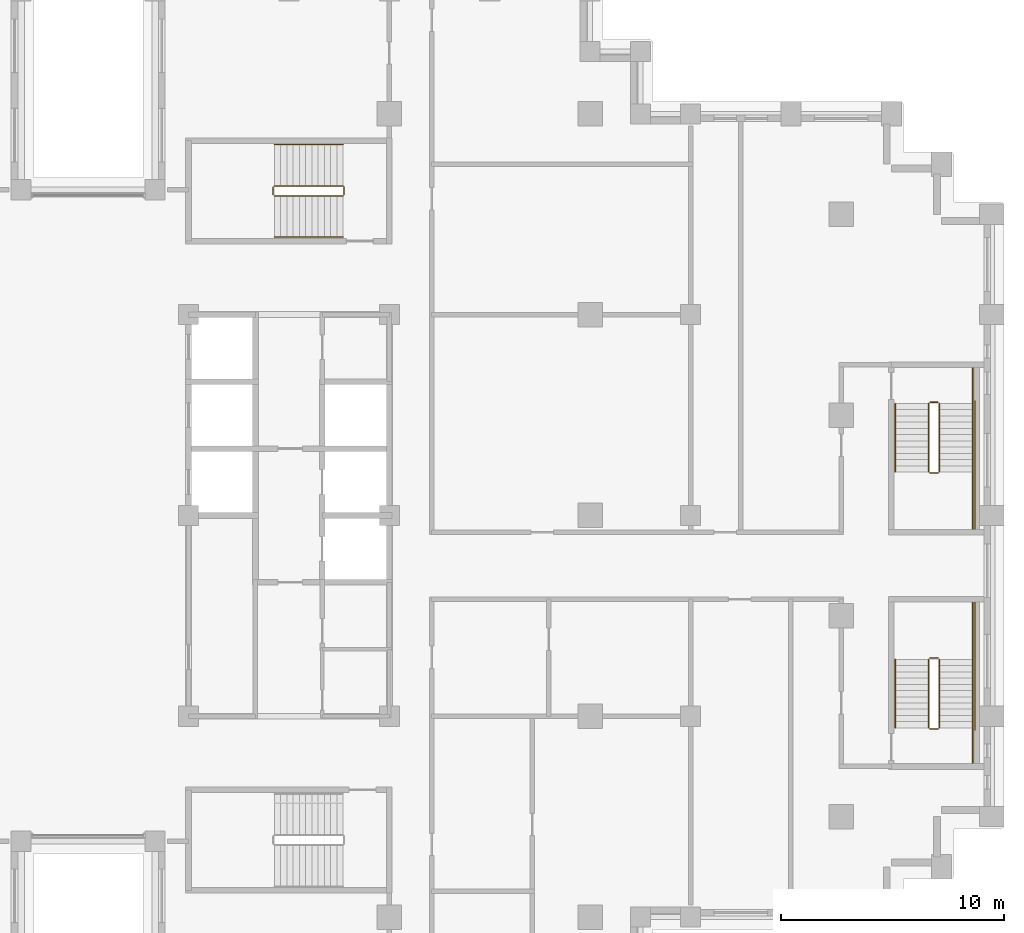
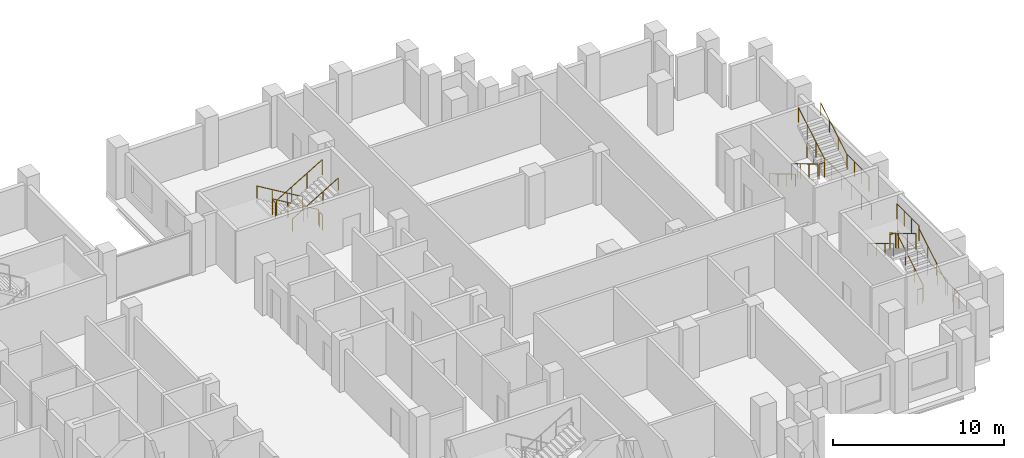
# One storey, part 15 of 15: 3 railings.
"""IFC4 building model written with IfcOpenShell, lengths in metres."""

from ifc_helpers import new_model, si_unit, direction, frame, origin, origin_2d, place, context, subcontext, project, spatial, circle, extrude, material, type_object, element, save


model = new_model("IFC4")

# Units and contexts
model_context = context("Model", 3, precision=1e-05, world=origin(), true_north=direction((0.0, 1.0)))
body_context = subcontext(model_context, "Body", "Model", "MODEL_VIEW")
ifc_project = project(units=[si_unit("LENGTHUNIT", "METRE"), si_unit("AREAUNIT", "SQUARE_METRE"), si_unit("VOLUMEUNIT", "CUBIC_METRE"), si_unit("PLANEANGLEUNIT", "RADIAN"), si_unit("MASSUNIT", "GRAM", prefix="KILO")], contexts=[model_context])

# Site, building, storey
site_placement = place(None, origin())
site = spatial("IfcSite", under=ifc_project, at=site_placement, CompositionType="ELEMENT")
building_placement = place(site_placement, origin())
building = spatial("IfcBuilding", under=site, at=building_placement, Name="Corbelhall Arena Tower", CompositionType="ELEMENT")
storey_placement = place(building_placement, frame((0.0, 0.0, 138.0)))
storey = spatial("IfcBuildingStorey", under=building, at=storey_placement, Name="L26", CompositionType="ELEMENT", Elevation=138.0)

# Railings
ifc_material = material(Name="Steel ASTM A500 Gr C", Category="steel")
railing_type = type_object("IfcRailingType", Name="IN-GD-1100", PredefinedType="GUARDRAIL", material=ifc_material)
railing_1_placement = place(storey_placement, frame((11.425048828125, 14.77490234375, 0.166748046875)))
element("IfcRailing", 1, at=railing_1_placement, inside=storey, type_object=railing_type, Name="L26 ST3 stair guards and handrails", PredefinedType="GUARDRAIL", context=body_context, shape_type="SweptSolid", body=[
    extrude(circle(Radius=0.02392578125, at=origin_2d()), frame((0.0, 0.0, 1.076171875), z_axis=(-0.859308565015, 0.0, 0.511457515432), x_axis=(0.0, -1.0, 0.0)), (0.0, 0.0, 1.0), 3.58447265625),
    extrude(circle(Radius=0.02392578125, at=origin_2d()), frame((-3.130126953125, -0.0498046875, 2.9091796875), z_axis=(0.0, -1.0, 0.0), x_axis=(1.0, 0.0, 0.0)), (0.0, 0.0, 1.0), 0.35009765625),
    extrude(circle(Radius=0.02392578125, at=origin_2d()), frame((-3.080078125, -0.449951171875, 3.076171875), z_axis=(0.859308565015, 0.0, 0.511457515432), x_axis=(0.0, 1.0, 0.0)), (0.0, 0.0, 1.0), 3.58447265625),
    extrude(circle(Radius=0.02392578125, at=origin_2d()), frame((0.050048828125, -0.0498046875, 0.9091796875), z_axis=(0.0, -1.0, 0.0), x_axis=(1.0, 0.0, 0.0)), (0.0, 0.0, 1.0), 0.35009765625),
    extrude(circle(Radius=0.02392578125, at=origin_2d()), frame((0.0, 1.85009765625, 0.8759765625), z_axis=(-0.859308565015, 0.0, 0.511457515432), x_axis=(0.0, -1.0, 0.0)), (0.0, 0.0, 1.0), 3.58447265625),
    extrude(circle(Radius=0.02392578125, at=origin_2d()), frame((-3.080078125, -2.2998046875, 2.8759765625), z_axis=(0.859308565015, 0.0, 0.511457515432), x_axis=(0.0, 1.0, 0.0)), (0.0, 0.0, 1.0), 3.58447265625),
    extrude(circle(Radius=0.02099609375, at=origin_2d()), origin(), (0.0, 0.0, 1.0), 1.052001953125),
    extrude(circle(Radius=0.02099609375, at=origin_2d()), frame((-1.026611328125, 0.0, 0.611083984375)), (0.0, 0.0, 1.0), 1.052001953125),
    extrude(circle(Radius=0.02099609375, at=origin_2d()), frame((-2.053466796875, 0.0, 1.22216796875)), (0.0, 0.0, 1.0), 1.052001953125),
    extrude(circle(Radius=0.02099609375, at=origin_2d()), frame((-3.080078125, 0.0, 1.833251953125)), (0.0, 0.0, 1.0), 1.052001953125),
    extrude(circle(Radius=0.02099609375, at=origin_2d()), frame((-3.130126953125, -0.0498046875, 1.833251953125)), (0.0, 0.0, 1.0), 1.052001953125),
    extrude(circle(Radius=0.02099609375, at=origin_2d()), frame((-3.130126953125, -0.39990234375, 1.833251953125)), (0.0, 0.0, 1.0), 1.052001953125),
    extrude(circle(Radius=0.02099609375, at=origin_2d()), frame((-3.080078125, -0.449951171875, 2.0)), (0.0, 0.0, 1.0), 1.052001953125),
    extrude(circle(Radius=0.02099609375, at=origin_2d()), frame((-2.053466796875, -0.449951171875, 2.611083984375)), (0.0, 0.0, 1.0), 1.052001953125),
    extrude(circle(Radius=0.02099609375, at=origin_2d()), frame((-1.026611328125, -0.449951171875, 3.22216796875)), (0.0, 0.0, 1.0), 1.052001953125),
    extrude(circle(Radius=0.02099609375, at=origin_2d()), frame((0.0, -0.449951171875, 3.833251953125)), (0.0, 0.0, 1.0), 1.052001953125),
    extrude(circle(Radius=0.02099609375, at=origin_2d()), frame((0.050048828125, -0.0498046875, -0.166748046875)), (0.0, 0.0, 1.0), 1.052001953125),
    extrude(circle(Radius=0.02099609375, at=origin_2d()), frame((0.050048828125, -0.39990234375, -0.166748046875)), (0.0, 0.0, 1.0), 1.052001953125),
    extrude(circle(Radius=0.02099609375, at=origin_2d()), frame((0.0, 1.85009765625, 0.0)), (0.0, 0.0, 1.0), 0.851806640625),
    extrude(circle(Radius=0.02099609375, at=origin_2d()), frame((-1.026611328125, 1.85009765625, 0.611083984375)), (0.0, 0.0, 1.0), 0.851806640625),
    extrude(circle(Radius=0.02099609375, at=origin_2d()), frame((-2.053466796875, 1.85009765625, 1.22216796875)), (0.0, 0.0, 1.0), 0.851806640625),
    extrude(circle(Radius=0.02099609375, at=origin_2d()), frame((-3.080078125, 1.85009765625, 1.833251953125)), (0.0, 0.0, 1.0), 0.851806640625),
    extrude(circle(Radius=0.02099609375, at=origin_2d()), frame((-3.080078125, -2.2998046875, 2.0)), (0.0, 0.0, 1.0), 0.851806640625),
    extrude(circle(Radius=0.02099609375, at=origin_2d()), frame((-2.053466796875, -2.2998046875, 2.611083984375)), (0.0, 0.0, 1.0), 0.851806640625),
    extrude(circle(Radius=0.02099609375, at=origin_2d()), frame((-1.026611328125, -2.2998046875, 3.22216796875)), (0.0, 0.0, 1.0), 0.851806640625),
    extrude(circle(Radius=0.02099609375, at=origin_2d()), frame((0.0, -2.2998046875, 3.833251953125)), (0.0, 0.0, 1.0), 0.851806640625),
])
railing_2_placement = place(storey_placement, frame((38.14990234375, -9.52490234375, 0.166748046875)))
element("IfcRailing", 2, at=railing_2_placement, inside=storey, type_object=railing_type, Name="L26 SD1 stair guards and handrails", PredefinedType="GUARDRAIL", context=body_context, shape_type="SweptSolid", body=[
    extrude(circle(Radius=0.02392578125, at=origin_2d()), frame((0.0, 0.0, 1.076171875), z_axis=(0.0, 0.859290745958, 0.51148745235), x_axis=(-1.0, 0.0, 0.0)), (0.0, 0.0, 1.0), 3.584228515625),
    extrude(circle(Radius=0.02392578125, at=origin_2d()), frame((-0.0498046875, 3.1298828125, 2.9091796875), z_axis=(-1.0, 0.0, 0.0), x_axis=(0.0, -1.0, 0.0)), (0.0, 0.0, 1.0), 0.375),
    extrude(circle(Radius=0.02392578125, at=origin_2d()), frame((1.5, 3.079833984375, 2.9091796875), z_axis=(0.0, 1.0, 0.0), x_axis=(-1.0, 0.0, 0.0)), (0.0, 0.0, 1.0), 2.570068359375),
    extrude(circle(Radius=0.02392578125, at=origin_2d()), frame((-0.474853515625, 3.079833984375, 3.076171875), z_axis=(0.0, -0.859290745958, 0.51148745235), x_axis=(1.0, 0.0, 0.0)), (0.0, 0.0, 1.0), 3.584228515625),
    extrude(circle(Radius=0.02392578125, at=origin_2d()), frame((-0.0498046875, -0.050048828125, 0.9091796875), z_axis=(-1.0, 0.0, 0.0), x_axis=(0.0, -1.0, 0.0)), (0.0, 0.0, 1.0), 0.375),
    extrude(circle(Radius=0.02392578125, at=origin_2d()), frame((1.5, -1.60009765625, 0.9091796875), z_axis=(0.0, 1.0, 0.0), x_axis=(-1.0, 0.0, 0.0)), (0.0, 0.0, 1.0), 1.60009765625),
    extrude(circle(Radius=0.02392578125, at=origin_2d()), frame((1.60009765625, -0.10009765625, 0.9091796875), z_axis=(0.0, 1.0, 0.0), x_axis=(-1.0, 0.0, 0.0)), (0.0, 0.0, 1.0), 5.85009765625),
    extrude(circle(Radius=0.02392578125, at=origin_2d()), frame((1.5, 0.0, 0.8759765625), z_axis=(0.0, 0.859290745958, 0.51148745235), x_axis=(-1.0, 0.0, 0.0)), (0.0, 0.0, 1.0), 3.584228515625),
    extrude(circle(Radius=0.02392578125, at=origin_2d()), frame((-1.974853515625, 3.079833984375, 2.8759765625), z_axis=(0.0, -0.859290745958, 0.51148745235), x_axis=(1.0, 0.0, 0.0)), (0.0, 0.0, 1.0), 3.584228515625),
    extrude(circle(Radius=0.02099609375, at=origin_2d()), origin(), (0.0, 0.0, 1.0), 1.052001953125),
    extrude(circle(Radius=0.02099609375, at=origin_2d()), frame((0.0, 1.026611328125, 0.611083984375)), (0.0, 0.0, 1.0), 1.052001953125),
    extrude(circle(Radius=0.02099609375, at=origin_2d()), frame((0.0, 2.05322265625, 1.22216796875)), (0.0, 0.0, 1.0), 1.052001953125),
    extrude(circle(Radius=0.02099609375, at=origin_2d()), frame((0.0, 3.079833984375, 1.833251953125)), (0.0, 0.0, 1.0), 1.052001953125),
    extrude(circle(Radius=0.02099609375, at=origin_2d()), frame((-0.0498046875, 3.1298828125, 1.833251953125)), (0.0, 0.0, 1.0), 1.052001953125),
    extrude(circle(Radius=0.02099609375, at=origin_2d()), frame((-0.4248046875, 3.1298828125, 1.833251953125)), (0.0, 0.0, 1.0), 1.052001953125),
    extrude(circle(Radius=0.02099609375, at=origin_2d()), frame((1.5, 3.079833984375, 1.833251953125)), (0.0, 0.0, 1.0), 1.052001953125),
    extrude(circle(Radius=0.02099609375, at=origin_2d()), frame((1.5, 3.9365234375, 1.833251953125)), (0.0, 0.0, 1.0), 1.052001953125),
    extrude(circle(Radius=0.02099609375, at=origin_2d()), frame((1.5, 4.793212890625, 1.833251953125)), (0.0, 0.0, 1.0), 1.052001953125),
    extrude(circle(Radius=0.02099609375, at=origin_2d()), frame((1.5, 5.64990234375, 1.833251953125)), (0.0, 0.0, 1.0), 1.052001953125),
    extrude(circle(Radius=0.02099609375, at=origin_2d()), frame((-0.474853515625, 3.079833984375, 2.0)), (0.0, 0.0, 1.0), 1.052001953125),
    extrude(circle(Radius=0.02099609375, at=origin_2d()), frame((-0.474853515625, 2.05322265625, 2.611083984375)), (0.0, 0.0, 1.0), 1.052001953125),
    extrude(circle(Radius=0.02099609375, at=origin_2d()), frame((-0.474853515625, 1.026611328125, 3.22216796875)), (0.0, 0.0, 1.0), 1.052001953125),
    extrude(circle(Radius=0.02099609375, at=origin_2d()), frame((-0.474853515625, 0.0, 3.833251953125)), (0.0, 0.0, 1.0), 1.052001953125),
    extrude(circle(Radius=0.02099609375, at=origin_2d()), frame((-0.0498046875, -0.050048828125, -0.166748046875)), (0.0, 0.0, 1.0), 1.052001953125),
    extrude(circle(Radius=0.02099609375, at=origin_2d()), frame((-0.4248046875, -0.050048828125, -0.166748046875)), (0.0, 0.0, 1.0), 1.052001953125),
    extrude(circle(Radius=0.02099609375, at=origin_2d()), frame((1.5, -1.60009765625, -0.166748046875)), (0.0, 0.0, 1.0), 1.052001953125),
    extrude(circle(Radius=0.02099609375, at=origin_2d()), frame((1.5, -0.800048828125, -0.166748046875)), (0.0, 0.0, 1.0), 1.052001953125),
    extrude(circle(Radius=0.02099609375, at=origin_2d()), frame((1.5, 0.0, -0.166748046875)), (0.0, 0.0, 1.0), 1.052001953125),
    extrude(circle(Radius=0.02099609375, at=origin_2d()), frame((1.60009765625, -0.10009765625, -0.166748046875)), (0.0, 0.0, 1.0), 1.052001953125),
    extrude(circle(Radius=0.02099609375, at=origin_2d()), frame((1.60009765625, 1.06982421875, -0.166748046875)), (0.0, 0.0, 1.0), 1.052001953125),
    extrude(circle(Radius=0.02099609375, at=origin_2d()), frame((1.60009765625, 2.239990234375, -0.166748046875)), (0.0, 0.0, 1.0), 1.052001953125),
    extrude(circle(Radius=0.02099609375, at=origin_2d()), frame((1.60009765625, 3.409912109375, -0.166748046875)), (0.0, 0.0, 1.0), 1.052001953125),
    extrude(circle(Radius=0.02099609375, at=origin_2d()), frame((1.60009765625, 4.580078125, -0.166748046875)), (0.0, 0.0, 1.0), 1.052001953125),
    extrude(circle(Radius=0.02099609375, at=origin_2d()), frame((1.60009765625, 5.75, -0.166748046875)), (0.0, 0.0, 1.0), 1.052001953125),
    extrude(circle(Radius=0.02099609375, at=origin_2d()), frame((1.5, 0.0, 0.0)), (0.0, 0.0, 1.0), 0.851806640625),
    extrude(circle(Radius=0.02099609375, at=origin_2d()), frame((1.5, 1.026611328125, 0.611083984375)), (0.0, 0.0, 1.0), 0.851806640625),
    extrude(circle(Radius=0.02099609375, at=origin_2d()), frame((1.5, 2.05322265625, 1.22216796875)), (0.0, 0.0, 1.0), 0.851806640625),
    extrude(circle(Radius=0.02099609375, at=origin_2d()), frame((-1.974853515625, 3.079833984375, 2.0)), (0.0, 0.0, 1.0), 0.851806640625),
    extrude(circle(Radius=0.02099609375, at=origin_2d()), frame((-1.974853515625, 2.05322265625, 2.611083984375)), (0.0, 0.0, 1.0), 0.851806640625),
    extrude(circle(Radius=0.02099609375, at=origin_2d()), frame((-1.974853515625, 1.026611328125, 3.22216796875)), (0.0, 0.0, 1.0), 0.851806640625),
    extrude(circle(Radius=0.02099609375, at=origin_2d()), frame((-1.974853515625, 0.0, 3.833251953125)), (0.0, 0.0, 1.0), 0.851806640625),
])
railing_3_placement = place(storey_placement, frame((37.675048828125, 5.02490234375, 0.166748046875)))
element("IfcRailing", 3, at=railing_3_placement, inside=storey, type_object=railing_type, Name="L26 SD2 stair guards and handrails", PredefinedType="GUARDRAIL", context=body_context, shape_type="SweptSolid", body=[
    extrude(circle(Radius=0.02392578125, at=origin_2d()), frame((0.0, 0.0, 1.076171875), z_axis=(0.0, -0.859290745958, 0.51148745235), x_axis=(1.0, 0.0, 0.0)), (0.0, 0.0, 1.0), 3.584228515625),
    extrude(circle(Radius=0.02392578125, at=origin_2d()), frame((0.050048828125, -3.1298828125, 2.9091796875), z_axis=(1.0, 0.0, 0.0), x_axis=(0.0, 1.0, 0.0)), (0.0, 0.0, 1.0), 0.375),
    extrude(circle(Radius=0.02392578125, at=origin_2d()), frame((1.974853515625, -3.079833984375, 2.9091796875), z_axis=(0.0, -1.0, 0.0), x_axis=(1.0, 0.0, 0.0)), (0.0, 0.0, 1.0), 2.570068359375),
    extrude(circle(Radius=0.02392578125, at=origin_2d()), frame((0.474853515625, -3.079833984375, 3.076171875), z_axis=(0.0, 0.859290745958, 0.51148745235), x_axis=(-1.0, 0.0, 0.0)), (0.0, 0.0, 1.0), 3.584228515625),
    extrude(circle(Radius=0.02392578125, at=origin_2d()), frame((0.050048828125, 0.050048828125, 0.9091796875), z_axis=(1.0, 0.0, 0.0), x_axis=(0.0, 1.0, 0.0)), (0.0, 0.0, 1.0), 0.375),
    extrude(circle(Radius=0.02392578125, at=origin_2d()), frame((1.974853515625, 1.60009765625, 0.9091796875), z_axis=(0.0, -1.0, 0.0), x_axis=(1.0, 0.0, 0.0)), (0.0, 0.0, 1.0), 1.60009765625),
    extrude(circle(Radius=0.02392578125, at=origin_2d()), frame((2.074951171875, 0.10009765625, 0.9091796875), z_axis=(0.0, -1.0, 0.0), x_axis=(1.0, 0.0, 0.0)), (0.0, 0.0, 1.0), 5.85009765625),
    extrude(circle(Radius=0.02392578125, at=origin_2d()), frame((-1.5, 0.0, 0.8759765625), z_axis=(0.0, -0.859290745958, 0.51148745235), x_axis=(1.0, 0.0, 0.0)), (0.0, 0.0, 1.0), 3.584228515625),
    extrude(circle(Radius=0.02392578125, at=origin_2d()), frame((1.974853515625, -3.079833984375, 2.8759765625), z_axis=(0.0, 0.859290745958, 0.51148745235), x_axis=(-1.0, 0.0, 0.0)), (0.0, 0.0, 1.0), 3.584228515625),
    extrude(circle(Radius=0.02099609375, at=origin_2d()), origin(), (0.0, 0.0, 1.0), 1.052001953125),
    extrude(circle(Radius=0.02099609375, at=origin_2d()), frame((0.0, -1.026611328125, 0.611083984375)), (0.0, 0.0, 1.0), 1.052001953125),
    extrude(circle(Radius=0.02099609375, at=origin_2d()), frame((0.0, -2.05322265625, 1.22216796875)), (0.0, 0.0, 1.0), 1.052001953125),
    extrude(circle(Radius=0.02099609375, at=origin_2d()), frame((0.0, -3.079833984375, 1.833251953125)), (0.0, 0.0, 1.0), 1.052001953125),
    extrude(circle(Radius=0.02099609375, at=origin_2d()), frame((0.050048828125, -3.1298828125, 1.833251953125)), (0.0, 0.0, 1.0), 1.052001953125),
    extrude(circle(Radius=0.02099609375, at=origin_2d()), frame((0.425048828125, -3.1298828125, 1.833251953125)), (0.0, 0.0, 1.0), 1.052001953125),
    extrude(circle(Radius=0.02099609375, at=origin_2d()), frame((1.974853515625, -3.079833984375, 1.833251953125)), (0.0, 0.0, 1.0), 1.052001953125),
    extrude(circle(Radius=0.02099609375, at=origin_2d()), frame((1.974853515625, -3.9365234375, 1.833251953125)), (0.0, 0.0, 1.0), 1.052001953125),
    extrude(circle(Radius=0.02099609375, at=origin_2d()), frame((1.974853515625, -4.793212890625, 1.833251953125)), (0.0, 0.0, 1.0), 1.052001953125),
    extrude(circle(Radius=0.02099609375, at=origin_2d()), frame((1.974853515625, -5.64990234375, 1.833251953125)), (0.0, 0.0, 1.0), 1.052001953125),
    extrude(circle(Radius=0.02099609375, at=origin_2d()), frame((0.474853515625, -3.079833984375, 2.0)), (0.0, 0.0, 1.0), 1.052001953125),
    extrude(circle(Radius=0.02099609375, at=origin_2d()), frame((0.474853515625, -2.05322265625, 2.611083984375)), (0.0, 0.0, 1.0), 1.052001953125),
    extrude(circle(Radius=0.02099609375, at=origin_2d()), frame((0.474853515625, -1.026611328125, 3.22216796875)), (0.0, 0.0, 1.0), 1.052001953125),
    extrude(circle(Radius=0.02099609375, at=origin_2d()), frame((0.474853515625, 0.0, 3.833251953125)), (0.0, 0.0, 1.0), 1.052001953125),
    extrude(circle(Radius=0.02099609375, at=origin_2d()), frame((0.050048828125, 0.050048828125, -0.166748046875)), (0.0, 0.0, 1.0), 1.052001953125),
    extrude(circle(Radius=0.02099609375, at=origin_2d()), frame((0.425048828125, 0.050048828125, -0.166748046875)), (0.0, 0.0, 1.0), 1.052001953125),
    extrude(circle(Radius=0.02099609375, at=origin_2d()), frame((1.974853515625, 1.60009765625, -0.166748046875)), (0.0, 0.0, 1.0), 1.052001953125),
    extrude(circle(Radius=0.02099609375, at=origin_2d()), frame((1.974853515625, 0.800048828125, -0.166748046875)), (0.0, 0.0, 1.0), 1.052001953125),
    extrude(circle(Radius=0.02099609375, at=origin_2d()), frame((1.974853515625, 0.0, -0.166748046875)), (0.0, 0.0, 1.0), 1.052001953125),
    extrude(circle(Radius=0.02099609375, at=origin_2d()), frame((2.074951171875, 0.10009765625, -0.166748046875)), (0.0, 0.0, 1.0), 1.052001953125),
    extrude(circle(Radius=0.02099609375, at=origin_2d()), frame((2.074951171875, -1.06982421875, -0.166748046875)), (0.0, 0.0, 1.0), 1.052001953125),
    extrude(circle(Radius=0.02099609375, at=origin_2d()), frame((2.074951171875, -2.239990234375, -0.166748046875)), (0.0, 0.0, 1.0), 1.052001953125),
    extrude(circle(Radius=0.02099609375, at=origin_2d()), frame((2.074951171875, -3.409912109375, -0.166748046875)), (0.0, 0.0, 1.0), 1.052001953125),
    extrude(circle(Radius=0.02099609375, at=origin_2d()), frame((2.074951171875, -4.580078125, -0.166748046875)), (0.0, 0.0, 1.0), 1.052001953125),
    extrude(circle(Radius=0.02099609375, at=origin_2d()), frame((2.074951171875, -5.75, -0.166748046875)), (0.0, 0.0, 1.0), 1.052001953125),
    extrude(circle(Radius=0.02099609375, at=origin_2d()), frame((-1.5, 0.0, 0.0)), (0.0, 0.0, 1.0), 0.851806640625),
    extrude(circle(Radius=0.02099609375, at=origin_2d()), frame((-1.5, -1.026611328125, 0.611083984375)), (0.0, 0.0, 1.0), 0.851806640625),
    extrude(circle(Radius=0.02099609375, at=origin_2d()), frame((-1.5, -2.05322265625, 1.22216796875)), (0.0, 0.0, 1.0), 0.851806640625),
    extrude(circle(Radius=0.02099609375, at=origin_2d()), frame((-1.5, -3.079833984375, 1.833251953125)), (0.0, 0.0, 1.0), 0.851806640625),
    extrude(circle(Radius=0.02099609375, at=origin_2d()), frame((1.974853515625, -3.079833984375, 2.0)), (0.0, 0.0, 1.0), 0.851806640625),
    extrude(circle(Radius=0.02099609375, at=origin_2d()), frame((1.974853515625, -2.05322265625, 2.611083984375)), (0.0, 0.0, 1.0), 0.851806640625),
    extrude(circle(Radius=0.02099609375, at=origin_2d()), frame((1.974853515625, -1.026611328125, 3.22216796875)), (0.0, 0.0, 1.0), 0.851806640625),
    extrude(circle(Radius=0.02099609375, at=origin_2d()), frame((1.974853515625, 0.0, 3.833251953125)), (0.0, 0.0, 1.0), 0.851806640625),
])

save(model, "model.ifc")
